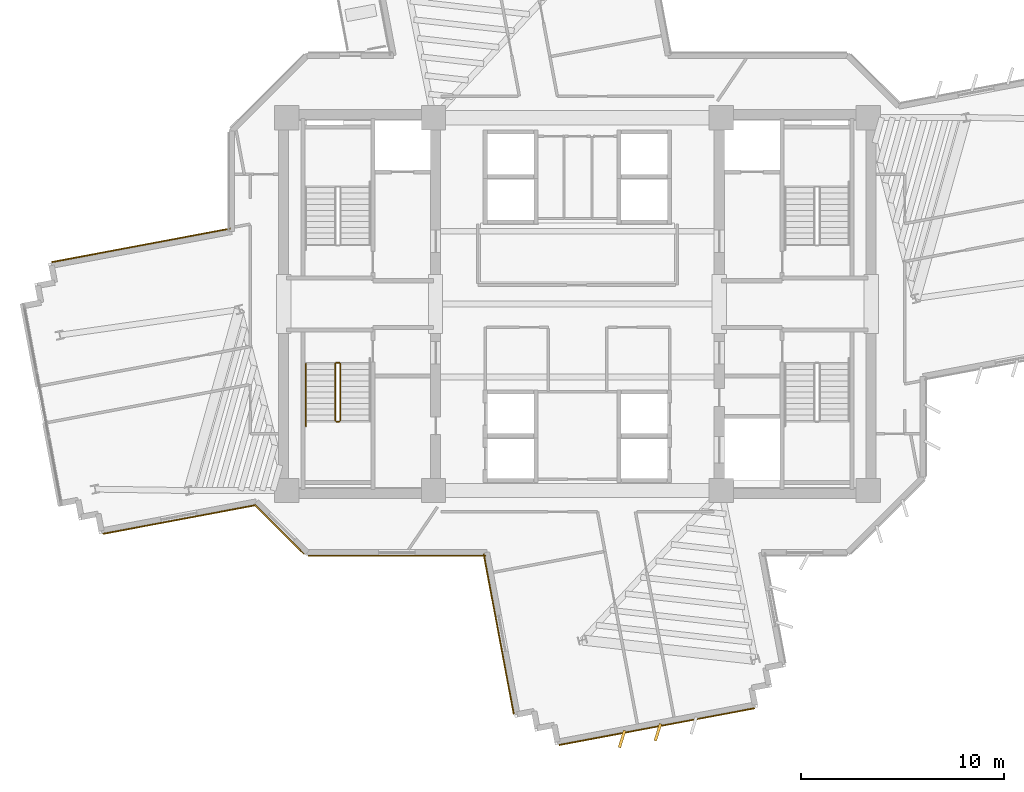
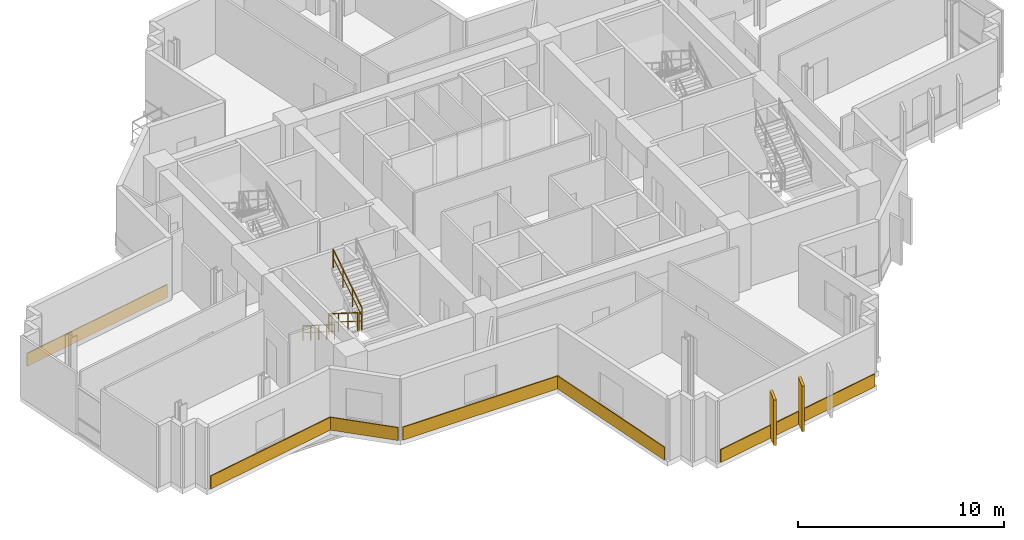
# One storey, part 13 of 16: 8 coverings, 5 railings.
"""IFC4 building model written with IfcOpenShell, lengths in metres."""

from ifc_helpers import new_model, si_unit, direction, frame, origin, origin_2d, place, context, subcontext, project, spatial, rectangle, extrude, source, transform, mapped, material, layer, layer_set, type_object, element, save


model = new_model("IFC4")

# Units and contexts
model_context = context("Model", 3, precision=1e-05, world=origin(), true_north=direction((0.0, 1.0)))
body_context = subcontext(model_context, "Body", "Model", "MODEL_VIEW")
ifc_project = project(units=[si_unit("LENGTHUNIT", "METRE"), si_unit("AREAUNIT", "SQUARE_METRE"), si_unit("VOLUMEUNIT", "CUBIC_METRE"), si_unit("PLANEANGLEUNIT", "RADIAN"), si_unit("MASSUNIT", "GRAM", prefix="KILO")], contexts=[model_context])

# Site, building, storey
site_placement = place(None, origin())
site = spatial("IfcSite", under=ifc_project, at=site_placement, CompositionType="ELEMENT")
building_placement = place(site_placement, origin())
building = spatial("IfcBuilding", under=site, at=building_placement, Name="Zahravan Cultural Tower", CompositionType="ELEMENT")
storey_placement = place(building_placement, frame((0.0, 0.0, 147.300048828125)))
storey = spatial("IfcBuildingStorey", under=building, at=storey_placement, Name="L33", CompositionType="ELEMENT", Elevation=147.300048828125)

# Railings
ifc_material_1 = material(Name="Steel ASTM A572 Grade 50", Category="steel")
railing_type_1 = type_object("IfcRailingType", Name="RL-STAIR-GRD1150", PredefinedType="BALUSTRADE", material=ifc_material_1)
railing_1_placement = place(storey_placement, frame((24.050048828125, 24.050048828125, 0.17724609375)))
element("IfcRailing", 1, at=railing_1_placement, inside=storey, type_object=railing_type_1, Name="L33 ST-W2 stair guard 1", PredefinedType="BALUSTRADE", context=body_context, shape_type="SweptSolid", body=[
    extrude(rectangle(XDim=0.05, YDim=0.05, at=origin_2d()), frame((0.0, 0.0, 1.0751953125), z_axis=(0.0, -0.844908973607, 0.534910110503), x_axis=(1.0, 0.0, 0.0)), (0.0, 0.0, 1.0), 3.31396484375),
    extrude(rectangle(XDim=0.032, YDim=0.032, at=origin_2d()), frame((0.0, 0.0, 0.572021484375), z_axis=(0.0, -0.844908973607, 0.534910110503), x_axis=(1.0, 0.0, 0.0)), (0.0, 0.0, 1.0), 3.31396484375),
    extrude(rectangle(XDim=0.04, YDim=0.04, at=origin_2d()), origin(), (0.0, 0.0, 1.0), 1.10009765625),
    extrude(rectangle(XDim=0.04, YDim=0.04, at=origin_2d()), frame((0.0, -0.933349609375, 0.5908203125)), (0.0, 0.0, 1.0), 1.10009765625),
    extrude(rectangle(XDim=0.04, YDim=0.04, at=origin_2d()), frame((0.0, -1.86669921875, 1.181884765625)), (0.0, 0.0, 1.0), 1.10009765625),
    extrude(rectangle(XDim=0.04, YDim=0.04, at=origin_2d()), frame((0.0, -2.800048828125, 1.772705078125)), (0.0, 0.0, 1.0), 1.10009765625),
])
railing_2_placement = place(storey_placement, frame((24.10009765625, 21.199951171875, 1.949951171875)))
element("IfcRailing", 2, at=railing_2_placement, inside=storey, type_object=railing_type_1, Name="L33 ST-W2 stair guard 2", PredefinedType="BALUSTRADE", context=body_context, shape_type="SweptSolid", body=[
    extrude(rectangle(XDim=0.05, YDim=0.05, at=origin_2d()), frame((0.0, 0.0, 1.0751953125), z_axis=(1.0, 0.0, 0.0), x_axis=(0.0, 1.0, 0.0)), (0.0, 0.0, 1.0), 0.14990234375),
    extrude(rectangle(XDim=0.032, YDim=0.032, at=origin_2d()), frame((0.0, 0.0, 0.572021484375), z_axis=(1.0, 0.0, 0.0), x_axis=(0.0, 1.0, 0.0)), (0.0, 0.0, 1.0), 0.14990234375),
    extrude(rectangle(XDim=0.04, YDim=0.04, at=origin_2d()), origin(), (0.0, 0.0, 1.0), 1.10009765625),
    extrude(rectangle(XDim=0.04, YDim=0.04, at=origin_2d()), frame((0.14990234375, 0.0, 0.0)), (0.0, 0.0, 1.0), 1.10009765625),
])
railing_3_placement = place(storey_placement, frame((24.300048828125, 21.25, 2.127197265625)))
element("IfcRailing", 3, at=railing_3_placement, inside=storey, type_object=railing_type_1, Name="L33 ST-W2 stair guard 3", PredefinedType="BALUSTRADE", context=body_context, shape_type="SweptSolid", body=[
    extrude(rectangle(XDim=0.05, YDim=0.05, at=origin_2d()), frame((0.0, 0.0, 1.0751953125), z_axis=(0.0, 0.844908973607, 0.534910110503), x_axis=(-1.0, 0.0, 0.0)), (0.0, 0.0, 1.0), 3.31396484375),
    extrude(rectangle(XDim=0.032, YDim=0.032, at=origin_2d()), frame((0.0, 0.0, 0.572021484375), z_axis=(0.0, 0.844908973607, 0.534910110503), x_axis=(-1.0, 0.0, 0.0)), (0.0, 0.0, 1.0), 3.31396484375),
    extrude(rectangle(XDim=0.04, YDim=0.04, at=origin_2d()), origin(), (0.0, 0.0, 1.0), 1.10009765625),
    extrude(rectangle(XDim=0.04, YDim=0.04, at=origin_2d()), frame((0.0, 0.933349609375, 0.5908203125)), (0.0, 0.0, 1.0), 1.10009765625),
    extrude(rectangle(XDim=0.04, YDim=0.04, at=origin_2d()), frame((0.0, 1.86669921875, 1.181884765625)), (0.0, 0.0, 1.0), 1.10009765625),
    extrude(rectangle(XDim=0.04, YDim=0.04, at=origin_2d()), frame((0.0, 2.800048828125, 1.772705078125)), (0.0, 0.0, 1.0), 1.10009765625),
])
railing_4_placement = place(storey_placement, frame((24.10009765625, 24.10009765625, 0.0)))
element("IfcRailing", 4, at=railing_4_placement, inside=storey, type_object=railing_type_1, Name="L33 ST-W2 stair guard 4", PredefinedType="BALUSTRADE", context=body_context, shape_type="SweptSolid", body=[
    extrude(rectangle(XDim=0.05, YDim=0.05, at=origin_2d()), frame((0.0, 0.0, 1.0751953125), z_axis=(1.0, 0.0, 0.0), x_axis=(0.0, 1.0, 0.0)), (0.0, 0.0, 1.0), 0.14990234375),
    extrude(rectangle(XDim=0.032, YDim=0.032, at=origin_2d()), frame((0.0, 0.0, 0.572021484375), z_axis=(1.0, 0.0, 0.0), x_axis=(0.0, 1.0, 0.0)), (0.0, 0.0, 1.0), 0.14990234375),
    extrude(rectangle(XDim=0.04, YDim=0.04, at=origin_2d()), origin(), (0.0, 0.0, 1.0), 1.10009765625),
    extrude(rectangle(XDim=0.04, YDim=0.04, at=origin_2d()), frame((0.14990234375, 0.0, 0.0)), (0.0, 0.0, 1.0), 1.10009765625),
])
railing_type_2 = type_object("IfcRailingType", Name="RL-STAIR-HR900", PredefinedType="HANDRAIL", material=ifc_material_1)
railing_5_placement = place(storey_placement, frame((22.60009765625, 24.050048828125, 0.17724609375)))
element("IfcRailing", 5, at=railing_5_placement, inside=storey, type_object=railing_type_2, Name="L33 ST-W2 stair handrail 1", PredefinedType="HANDRAIL", context=body_context, shape_type="SweptSolid", body=[
    extrude(rectangle(XDim=0.05, YDim=0.05, at=origin_2d()), frame((0.0, 0.0, 0.875), z_axis=(0.0, -0.844913916606, 0.534902302785), x_axis=(1.0, 0.0, 0.0)), (0.0, 0.0, 1.0), 3.6455078125),
    extrude(rectangle(XDim=0.032, YDim=0.032, at=origin_2d()), frame((0.0, 0.0, 0.468017578125), z_axis=(0.0, -0.844913916606, 0.534902302785), x_axis=(1.0, 0.0, 0.0)), (0.0, 0.0, 1.0), 3.6455078125),
    extrude(rectangle(XDim=0.04, YDim=0.04, at=origin_2d()), origin(), (0.0, 0.0, 1.0), 0.89990234375),
    extrude(rectangle(XDim=0.04, YDim=0.04, at=origin_2d()), frame((0.0, -0.77001953125, 0.487548828125)), (0.0, 0.0, 1.0), 0.89990234375),
    extrude(rectangle(XDim=0.04, YDim=0.04, at=origin_2d()), frame((0.0, -1.5400390625, 0.97509765625)), (0.0, 0.0, 1.0), 0.89990234375),
    extrude(rectangle(XDim=0.04, YDim=0.04, at=origin_2d()), frame((0.0, -2.31005859375, 1.46240234375)), (0.0, 0.0, 1.0), 0.89990234375),
    extrude(rectangle(XDim=0.04, YDim=0.04, at=origin_2d()), frame((0.0, -3.080078125, 1.949951171875)), (0.0, 0.0, 1.0), 0.89990234375),
])

# Coverings
ifc_material_2 = material(Name="Terracotta ceramic cladding", Category="masonry")
ifc_layer = layer(ifc_material_2, 0.06005859375)
ifc_layer_set = layer_set([ifc_layer], Name="Terracotta ceramic cladding")
covering_type = type_object("IfcCoveringType", Name="COV-CLAD-TC60", PredefinedType="CLADDING", material=ifc_layer_set)
shared_shape_1 = source(origin(), body_context, "Body", "SweptSolid", [
    extrude(rectangle(XDim=9.820068359375, YDim=0.06005859375, at=origin_2d()), origin(), (0.0, 0.0, 1.0), 0.760009765625),
])
covering_1_placement = place(storey_placement, frame((39.9189453125, 6.139892578125, 0.02001953125), z_axis=(0.0, 0.0, 1.0), x_axis=(-0.982806687355, -0.184637524056, 0.0)))
element("IfcCovering", 6, at=covering_1_placement, inside=storey, type_object=covering_type, Name="L33 Terracotta Spandrel Cladding 19", PredefinedType="CLADDING", context=body_context, shape_type="MappedRepresentation", body=[
    mapped(shared_shape_1, transform((0.0, 0.0, 0.0), x_axis=(1.0, 0.0, 0.0), y_axis=(0.0, 1.0, 0.0), z_axis=(0.0, 0.0, 1.0), scale=1.0)),
])
shared_shape_2 = source(origin(), body_context, "Body", "SweptSolid", [
    extrude(rectangle(XDim=0.8798828125, YDim=0.139892578125, at=origin_2d()), origin(), (0.0, 0.0, 1.0), 2.699951171875),
])
for number, where, z_axis, x_axis, name in (
    (7, (39.9716796875, 5.859619140625, 0.0498046875), (0.0, 0.0, 1.0), (-0.298374534012, -0.954448865814, 0.0), "L33 Herringbone Terracotta Fin 15"),
    (8, (38.202392578125, 5.52734375, 0.0498046875), (0.0, 0.0, 1.0), (-0.298374534012, -0.954448865814, 0.0), "L33 Herringbone Terracotta Fin 16"),
):
    element("IfcCovering", number, at=place(storey_placement, frame(where, z_axis=z_axis, x_axis=x_axis)), inside=storey, type_object=covering_type, Name=name, PredefinedType="CLADDING", context=body_context, shape_type="MappedRepresentation", body=[
        mapped(shared_shape_2, transform((0.0, 0.0, 0.0), x_axis=(1.0, 0.0, 0.0), y_axis=(0.0, 1.0, 0.0), z_axis=(0.0, 0.0, 1.0), scale=1.0)),
    ])
shared_shape_3 = source(origin(), body_context, "Body", "SweptSolid", [
    extrude(rectangle(XDim=7.683349609375, YDim=0.06005859375, at=origin_2d()), origin(), (0.0, 0.0, 1.0), 0.760009765625),
])
covering_2_placement = place(storey_placement, frame((16.357666015625, 16.365478515625, 0.02001953125), z_axis=(0.0, 0.0, 1.0), x_axis=(-0.982806687355, -0.184637524056, 0.0)))
element("IfcCovering", 9, at=covering_2_placement, inside=storey, type_object=covering_type, Name="L33 Terracotta Spandrel Cladding 27", PredefinedType="CLADDING", context=body_context, shape_type="MappedRepresentation", body=[
    mapped(shared_shape_3, transform((0.0, 0.0, 0.0), x_axis=(1.0, 0.0, 0.0), y_axis=(0.0, 1.0, 0.0), z_axis=(0.0, 0.0, 1.0), scale=1.0)),
])
shared_shape_4 = source(origin(), body_context, "Body", "SweptSolid", [
    extrude(rectangle(XDim=8.952880859375, YDim=0.06005859375, at=origin_2d()), origin(), (0.0, 0.0, 1.0), 0.760009765625),
])
covering_3_placement = place(storey_placement, frame((14.4609375, 29.89794921875, 0.02001953125), z_axis=(0.0, 0.0, 1.0), x_axis=(0.982806687355, 0.184637524056, 0.0)))
element("IfcCovering", 10, at=covering_3_placement, inside=storey, type_object=covering_type, Name="L33 Terracotta Spandrel Cladding 36", PredefinedType="CLADDING", context=body_context, shape_type="MappedRepresentation", body=[
    mapped(shared_shape_4, transform((0.0, 0.0, 0.0), x_axis=(1.0, 0.0, 0.0), y_axis=(0.0, 1.0, 0.0), z_axis=(0.0, 0.0, 1.0), scale=1.0)),
])
shared_shape_5 = source(origin(), body_context, "Body", "SweptSolid", [
    extrude(rectangle(XDim=8.03662109375, YDim=0.06005859375, at=origin_2d()), origin(), (0.0, 0.0, 1.0), 0.760009765625),
])
covering_4_placement = place(storey_placement, frame((32.11572265625, 10.711181640625, 0.02001953125), z_axis=(0.0, 0.0, 1.0), x_axis=(-0.184637524056, 0.982806687355, 0.0)))
element("IfcCovering", 11, at=covering_4_placement, inside=storey, type_object=covering_type, Name="L33 Terracotta Spandrel Cladding 24", PredefinedType="CLADDING", context=body_context, shape_type="MappedRepresentation", body=[
    mapped(shared_shape_5, transform((0.0, 0.0, 0.0), x_axis=(1.0, 0.0, 0.0), y_axis=(0.0, 1.0, 0.0), z_axis=(0.0, 0.0, 1.0), scale=1.0)),
])
shared_shape_6 = source(origin(), body_context, "Body", "SweptSolid", [
    extrude(rectangle(XDim=8.768798828125, YDim=0.06005859375, at=origin_2d()), origin(), (0.0, 0.0, 1.0), 0.760009765625),
])
covering_5_placement = place(storey_placement, frame((27.09228515625, 14.574951171875, 0.02001953125), z_axis=(0.0, 0.0, 1.0), x_axis=(-1.0, 0.0, 0.0)))
element("IfcCovering", 12, at=covering_5_placement, inside=storey, type_object=covering_type, Name="L33 Terracotta Spandrel Cladding 25", PredefinedType="CLADDING", context=body_context, shape_type="MappedRepresentation", body=[
    mapped(shared_shape_6, transform((0.0, 0.0, 0.0), x_axis=(1.0, 0.0, 0.0), y_axis=(0.0, 1.0, 0.0), z_axis=(0.0, 0.0, 1.0), scale=1.0)),
])
shared_shape_7 = source(origin(), body_context, "Body", "SweptSolid", [
    extrude(rectangle(XDim=3.444091796875, YDim=0.06005859375, at=origin_2d()), origin(), (0.0, 0.0, 1.0), 0.760009765625),
])
covering_6_placement = place(storey_placement, frame((21.288330078125, 15.87646484375, 0.02001953125), z_axis=(0.0, 0.0, 1.0), x_axis=(-0.707106781187, 0.707106781187, 0.0)))
element("IfcCovering", 13, at=covering_6_placement, inside=storey, type_object=covering_type, Name="L33 Terracotta Spandrel Cladding 26", PredefinedType="CLADDING", context=body_context, shape_type="MappedRepresentation", body=[
    mapped(shared_shape_7, transform((0.0, 0.0, 0.0), x_axis=(1.0, 0.0, 0.0), y_axis=(0.0, 1.0, 0.0), z_axis=(0.0, 0.0, 1.0), scale=1.0)),
])

save(model, "model.ifc")
